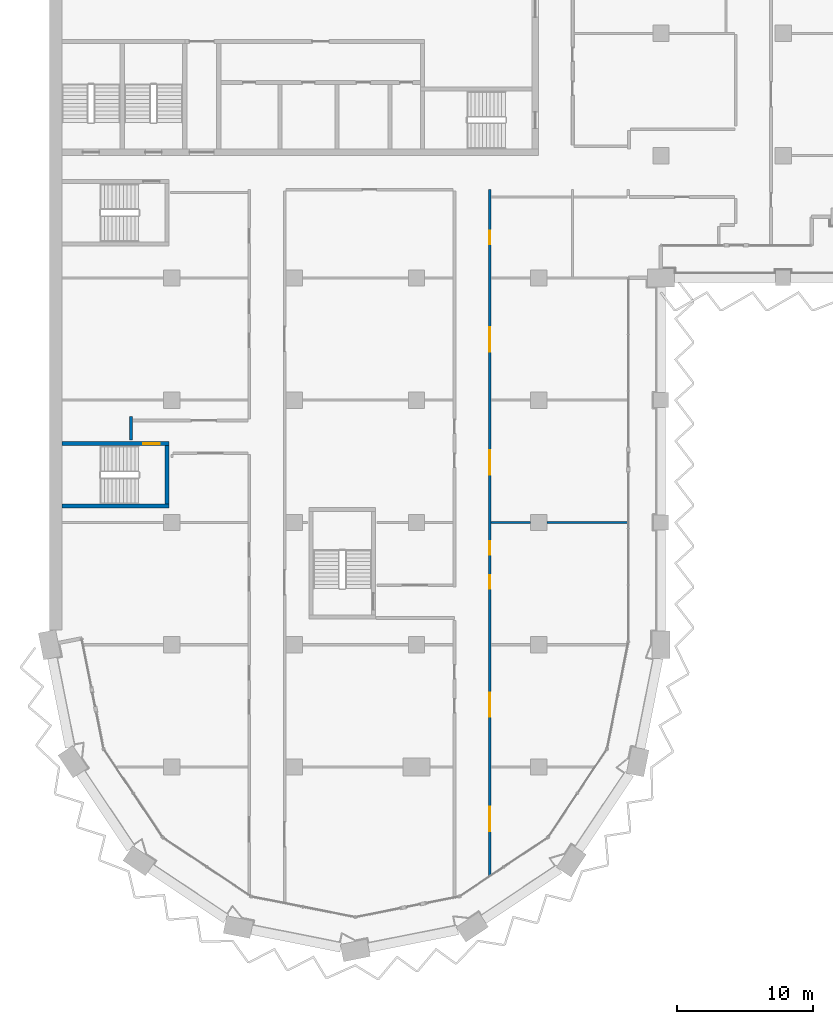
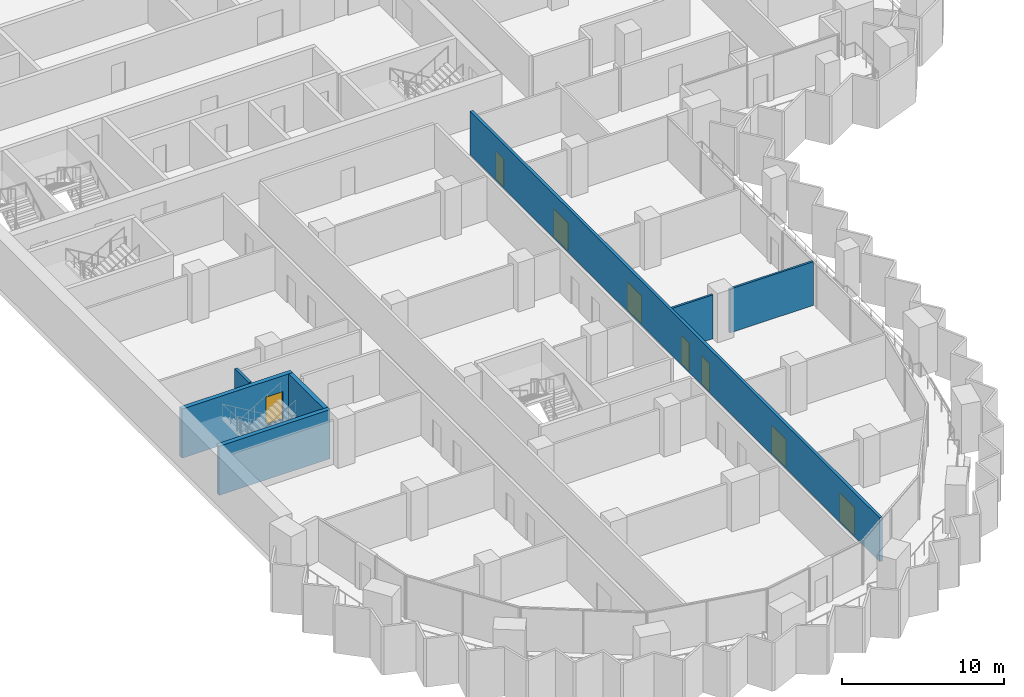
# One storey, part 9 of 22: 8 doors, 7 walls, 8 openings.
"""IFC4 building model written with IfcOpenShell, lengths in metres."""

from ifc_helpers import new_model, si_unit, direction, frame, frame_2d, origin, place, context, subcontext, project, spatial, rectangle, extrude, material, layer, layer_set, type_object, element, fill, save


model = new_model("IFC4")

# Units and contexts
model_context = context("Model", 3, precision=1e-05, world=origin(), true_north=direction((0.0, 1.0)))
body_context = subcontext(model_context, "Body", "Model", "MODEL_VIEW")
ifc_project = project(units=[si_unit("LENGTHUNIT", "METRE"), si_unit("AREAUNIT", "SQUARE_METRE"), si_unit("VOLUMEUNIT", "CUBIC_METRE"), si_unit("PLANEANGLEUNIT", "RADIAN"), si_unit("MASSUNIT", "GRAM", prefix="KILO")], contexts=[model_context])

# Site, building, storey
site_placement = place(None, origin())
site = spatial("IfcSite", under=ifc_project, at=site_placement, CompositionType="ELEMENT")
building_placement = place(site_placement, origin())
building = spatial("IfcBuilding", under=site, at=building_placement, Name="Hunhe Ridgeline Campus", CompositionType="ELEMENT")
storey_placement = place(building_placement, frame((0.0, 0.0, 163.39990234375)))
storey = spatial("IfcBuildingStorey", under=building, at=storey_placement, Name="L41", CompositionType="ELEMENT", Elevation=163.39990234375)

# Wall
ifc_material_1 = material(Name="Gypsum board partition")
ifc_layer_1 = layer(ifc_material_1, 0.199951171875)
ifc_layer_set_1 = layer_set([ifc_layer_1], Name="Corridor partition 200 gypsum board on steel studs")
wall_type_1 = type_object("IfcWallType", Name="Corridor partition 200 gypsum board on steel studs", PredefinedType="PARTITIONING", material=ifc_layer_set_1)
wall_1_placement = place(storey_placement, frame((6.0, 42.053955078125, 0.0), z_axis=(0.0, 0.0, 1.0), x_axis=(0.0, 1.0, 0.0)))
element("IfcWall", 1, at=wall_1_placement, inside=storey, type_object=wall_type_1, Name="F-L41-wall-055", PredefinedType="PARTITIONING", context=body_context, shape_type="SweptSolid", body=[
    extrude(rectangle(XDim=1.74609375, YDim=0.199951171875, at=frame_2d((0.873046875, 0.0))), origin(), (0.0, 0.0, 1.0), 3.300048828125),
])

# Wall, openings, doors
wall_2_placement = place(storey_placement, frame((32.39990234375, 60.5, 0.0), z_axis=(0.0, 0.0, 1.0), x_axis=(0.0, -1.0, 0.0)))
wall_2 = element("IfcWall", 2, at=wall_2_placement, inside=storey, type_object=wall_type_1, Name="F-L41-wall-062", PredefinedType="PARTITIONING", context=body_context, shape_type="SweptSolid", body=[
    extrude(rectangle(XDim=50.472900390625, YDim=0.199951171875, at=frame_2d((25.236328125, 0.0))), origin(), (0.0, 0.0, 1.0), 3.300048828125),
])
opening_1_placement = place(wall_2_placement, frame((45.4296875, 0.0, 0.0)))
opening_1 = element("IfcOpeningElement", 3, at=opening_1_placement, cuts=wall_2, Name="Opening RD2-003", PredefinedType="OPENING", context=body_context, shape_type="SweptSolid", body=[
    extrude(rectangle(XDim=1.800048828125, YDim=2.10009765625, at=frame_2d((0.89990234375, 1.050048828125))), frame((0.0, 0.10009765625, 0.0), z_axis=(0.0, -1.0, 0.0), x_axis=(1.0, 0.0, 0.0)), (0.0, 0.0, 1.0), 0.199951171875),
])
opening_2_placement = place(wall_2_placement, frame((37.017578125, 0.0, 0.0)))
opening_2 = element("IfcOpeningElement", 4, at=opening_2_placement, cuts=wall_2, Name="Opening RD2-006", PredefinedType="OPENING", context=body_context, shape_type="SweptSolid", body=[
    extrude(rectangle(XDim=1.800048828125, YDim=2.10009765625, at=frame_2d((0.89990234375, 1.050048828125))), frame((0.0, 0.10009765625, 0.0), z_axis=(0.0, -1.0, 0.0), x_axis=(1.0, 0.0, 0.0)), (0.0, 0.0, 1.0), 0.199951171875),
])
opening_3_placement = place(wall_2_placement, frame((28.377685546875, 0.0, 0.0)))
opening_3 = element("IfcOpeningElement", 5, at=opening_3_placement, cuts=wall_2, Name="Opening RD1-012", PredefinedType="OPENING", context=body_context, shape_type="SweptSolid", body=[
    extrude(rectangle(XDim=1.0, YDim=2.10009765625, at=frame_2d((0.5, 1.050048828125))), frame((0.0, 0.10009765625, 0.0), z_axis=(0.0, -1.0, 0.0), x_axis=(1.0, 0.0, 0.0)), (0.0, 0.0, 1.0), 0.199951171875),
])
opening_4_placement = place(wall_2_placement, frame((25.877685546875, 0.0, 0.0)))
opening_4 = element("IfcOpeningElement", 6, at=opening_4_placement, cuts=wall_2, Name="Opening RD1-014", PredefinedType="OPENING", context=body_context, shape_type="SweptSolid", body=[
    extrude(rectangle(XDim=1.0, YDim=2.10009765625, at=frame_2d((0.5, 1.050048828125))), frame((0.0, 0.10009765625, 0.0), z_axis=(0.0, -1.0, 0.0), x_axis=(1.0, 0.0, 0.0)), (0.0, 0.0, 1.0), 0.199951171875),
])
opening_5_placement = place(wall_2_placement, frame((19.188720703125, 0.0, 0.0)))
opening_5 = element("IfcOpeningElement", 7, at=opening_5_placement, cuts=wall_2, Name="Opening RD2-015", PredefinedType="OPENING", context=body_context, shape_type="SweptSolid", body=[
    extrude(rectangle(XDim=1.800048828125, YDim=2.10009765625, at=frame_2d((0.89990234375, 1.050048828125))), frame((0.0, 0.10009765625, 0.0), z_axis=(0.0, -1.0, 0.0), x_axis=(1.0, 0.0, 0.0)), (0.0, 0.0, 1.0), 0.199951171875),
])
opening_6_placement = place(wall_2_placement, frame((10.148681640625, 0.0, 0.0)))
opening_6 = element("IfcOpeningElement", 8, at=opening_6_placement, cuts=wall_2, Name="Opening RD2-022", PredefinedType="OPENING", context=body_context, shape_type="SweptSolid", body=[
    extrude(rectangle(XDim=1.800048828125, YDim=2.10009765625, at=frame_2d((0.89990234375, 1.050048828125))), frame((0.0, 0.10009765625, 0.0), z_axis=(0.0, -1.0, 0.0), x_axis=(1.0, 0.0, 0.0)), (0.0, 0.0, 1.0), 0.199951171875),
])
opening_7_placement = place(wall_2_placement, frame((3.015380859375, 0.0, 0.0)))
opening_7 = element("IfcOpeningElement", 9, at=opening_7_placement, cuts=wall_2, Name="Opening RD1-024", PredefinedType="OPENING", context=body_context, shape_type="SweptSolid", body=[
    extrude(rectangle(XDim=1.0, YDim=2.10009765625, at=frame_2d((0.5, 1.050048828125))), frame((0.0, 0.10009765625, 0.0), z_axis=(0.0, -1.0, 0.0), x_axis=(1.0, 0.0, 0.0)), (0.0, 0.0, 1.0), 0.199951171875),
])
ifc_material_2 = material(Name="Timber door leaf", Category="wood")
door_type_1 = type_object("IfcDoorType", Name="Double fire door 1800x2100 timber FD60", OperationType="DOUBLE_DOOR_SINGLE_SWING", PredefinedType="DOOR", material=ifc_material_2)
door_1_placement = place(opening_1_placement, origin())
door_1 = element("IfcDoor", 10, at=door_1_placement, inside=storey, type_object=door_type_1, Name="F-L41-door-003", OperationType="DOUBLE_DOOR_SINGLE_SWING", OverallHeight=2.10009765625, OverallWidth=1.800048828125, PredefinedType="DOOR", context=body_context, shape_type="SweptSolid", body=[
    extrude(rectangle(XDim=1.800048828125, YDim=2.10009765625, at=frame_2d((0.89990234375, 1.050048828125))), frame((0.0, 0.02490234375, 0.0), z_axis=(0.0, -1.0, 0.0), x_axis=(1.0, 0.0, 0.0)), (0.0, 0.0, 1.0), 0.050048828125),
])
fill(opening_1, door_1)
door_2_placement = place(opening_2_placement, origin())
door_2 = element("IfcDoor", 11, at=door_2_placement, inside=storey, type_object=door_type_1, Name="F-L41-door-006", OperationType="DOUBLE_DOOR_SINGLE_SWING", OverallHeight=2.10009765625, OverallWidth=1.800048828125, PredefinedType="DOOR", context=body_context, shape_type="SweptSolid", body=[
    extrude(rectangle(XDim=1.800048828125, YDim=2.10009765625, at=frame_2d((0.89990234375, 1.050048828125))), frame((0.0, 0.02490234375, 0.0), z_axis=(0.0, -1.0, 0.0), x_axis=(1.0, 0.0, 0.0)), (0.0, 0.0, 1.0), 0.050048828125),
])
fill(opening_2, door_2)
door_3_placement = place(opening_5_placement, origin())
door_3 = element("IfcDoor", 12, at=door_3_placement, inside=storey, type_object=door_type_1, Name="F-L41-door-015", OperationType="DOUBLE_DOOR_SINGLE_SWING", OverallHeight=2.10009765625, OverallWidth=1.800048828125, PredefinedType="DOOR", context=body_context, shape_type="SweptSolid", body=[
    extrude(rectangle(XDim=1.800048828125, YDim=2.10009765625, at=frame_2d((0.89990234375, 1.050048828125))), frame((0.0, 0.02490234375, 0.0), z_axis=(0.0, -1.0, 0.0), x_axis=(1.0, 0.0, 0.0)), (0.0, 0.0, 1.0), 0.050048828125),
])
fill(opening_5, door_3)
door_4_placement = place(opening_6_placement, origin())
door_4 = element("IfcDoor", 13, at=door_4_placement, inside=storey, type_object=door_type_1, Name="F-L41-door-022", OperationType="DOUBLE_DOOR_SINGLE_SWING", OverallHeight=2.10009765625, OverallWidth=1.800048828125, PredefinedType="DOOR", context=body_context, shape_type="SweptSolid", body=[
    extrude(rectangle(XDim=1.800048828125, YDim=2.10009765625, at=frame_2d((0.89990234375, 1.050048828125))), frame((0.0, 0.02490234375, 0.0), z_axis=(0.0, -1.0, 0.0), x_axis=(1.0, 0.0, 0.0)), (0.0, 0.0, 1.0), 0.050048828125),
])
fill(opening_6, door_4)
door_type_2 = type_object("IfcDoorType", Name="Single fire door 1000x2100 timber FD60", OperationType="NOTDEFINED", PredefinedType="DOOR", material=ifc_material_2)
door_5_placement = place(opening_3_placement, frame((1.0, 0.0, 0.0), z_axis=(0.0, 0.0, 1.0), x_axis=(-1.0, 0.0, 0.0)))
door_5 = element("IfcDoor", 14, at=door_5_placement, inside=storey, type_object=door_type_2, Name="F-L41-door-012", OperationType="SINGLE_SWING_RIGHT", OverallHeight=2.10009765625, OverallWidth=1.0, PredefinedType="DOOR", context=body_context, shape_type="SweptSolid", body=[
    extrude(rectangle(XDim=1.0, YDim=2.10009765625, at=frame_2d((0.5, 1.050048828125))), frame((0.0, 0.02490234375, 0.0), z_axis=(0.0, -1.0, 0.0), x_axis=(1.0, 0.0, 0.0)), (0.0, 0.0, 1.0), 0.050048828125),
])
fill(opening_3, door_5)
door_6_placement = place(opening_4_placement, frame((1.0, 0.0, 0.0), z_axis=(0.0, 0.0, 1.0), x_axis=(-1.0, 0.0, 0.0)))
door_6 = element("IfcDoor", 15, at=door_6_placement, inside=storey, type_object=door_type_2, Name="F-L41-door-014", OperationType="SINGLE_SWING_RIGHT", OverallHeight=2.10009765625, OverallWidth=1.0, PredefinedType="DOOR", context=body_context, shape_type="SweptSolid", body=[
    extrude(rectangle(XDim=1.0, YDim=2.10009765625, at=frame_2d((0.5, 1.050048828125))), frame((0.0, 0.02490234375, 0.0), z_axis=(0.0, -1.0, 0.0), x_axis=(1.0, 0.0, 0.0)), (0.0, 0.0, 1.0), 0.050048828125),
])
fill(opening_4, door_6)
door_7_placement = place(opening_7_placement, origin())
door_7 = element("IfcDoor", 16, at=door_7_placement, inside=storey, type_object=door_type_2, Name="F-L41-door-024", OperationType="SINGLE_SWING_LEFT", OverallHeight=2.10009765625, OverallWidth=1.0, PredefinedType="DOOR", context=body_context, shape_type="SweptSolid", body=[
    extrude(rectangle(XDim=1.0, YDim=2.10009765625, at=frame_2d((0.5, 1.050048828125))), frame((0.0, 0.02490234375, 0.0), z_axis=(0.0, -1.0, 0.0), x_axis=(1.0, 0.0, 0.0)), (0.0, 0.0, 1.0), 0.050048828125),
])
fill(opening_7, door_7)

# Walls
ifc_layer_2 = layer(ifc_material_1, 0.14990234375)
ifc_layer_set_2 = layer_set([ifc_layer_2], Name="Room partition 150 gypsum board on steel studs")
wall_type_2 = type_object("IfcWallType", Name="Room partition 150 gypsum board on steel studs", PredefinedType="PARTITIONING", material=ifc_layer_set_2)
wall_3_placement = place(storey_placement, frame((32.5, 36.0, 0.0), z_axis=(0.0, 0.0, 1.0), x_axis=(1.0, 0.0, 0.0)))
element("IfcWall", 17, at=wall_3_placement, inside=storey, type_object=wall_type_2, Name="F-L41-wall-020", PredefinedType="PARTITIONING", context=body_context, shape_type="SweptSolid", body=[
    extrude(rectangle(XDim=2.89990234375, YDim=0.14990234375, at=frame_2d((1.449951171875, 0.0))), origin(), (0.0, 0.0, 1.0), 3.300048828125),
])
wall_4_placement = place(storey_placement, frame((36.60009765625, 36.0, 0.0), z_axis=(0.0, 0.0, 1.0), x_axis=(1.0, 0.0, 0.0)))
element("IfcWall", 18, at=wall_4_placement, inside=storey, type_object=wall_type_2, Name="F-L41-wall-021", PredefinedType="PARTITIONING", context=body_context, shape_type="SweptSolid", body=[
    extrude(rectangle(XDim=5.94482421875, YDim=0.14990234375, at=frame_2d((2.972412109375, 0.0))), origin(), (0.0, 0.0, 1.0), 3.300048828125),
])
ifc_material_3 = material(Name="Concrete C70", Category="concrete")
ifc_layer_3 = layer(ifc_material_3, 0.300048828125)
ifc_layer_set_3 = layer_set([ifc_layer_3], Name="Stair wall 300 reinforced concrete C70")
wall_type_3 = type_object("IfcWallType", Name="Stair wall 300 reinforced concrete C70", PredefinedType="SOLIDWALL", material=ifc_layer_set_3)
wall_5_placement = place(storey_placement, frame((0.89990234375, 37.199951171875, -0.39990234375), z_axis=(0.0, 0.0, 1.0), x_axis=(1.0, 0.0, 0.0)))
element("IfcWall", 19, at=wall_5_placement, inside=storey, type_object=wall_type_3, Name="L41 core wall 3", PredefinedType="SOLIDWALL", context=body_context, shape_type="SweptSolid", body=[
    extrude(rectangle(XDim=7.900146484375, YDim=0.300048828125, at=frame_2d((3.9501953125, 0.0))), origin(), (0.0, 0.0, 1.0), 3.699951171875),
])

# Wall, opening, door
wall_6_placement = place(storey_placement, frame((0.89990234375, 41.800048828125, -0.39990234375), z_axis=(0.0, 0.0, 1.0), x_axis=(1.0, 0.0, 0.0)))
wall_6 = element("IfcWall", 20, at=wall_6_placement, inside=storey, type_object=wall_type_3, Name="L41 core wall 4", PredefinedType="SOLIDWALL", context=body_context, shape_type="SweptSolid", body=[
    extrude(rectangle(XDim=7.900146484375, YDim=0.300048828125, at=frame_2d((3.9501953125, 0.0))), origin(), (0.0, 0.0, 1.0), 3.699951171875),
])
opening_8_placement = place(wall_6_placement, frame((6.0, 0.0, 0.39990234375)))
opening_8 = element("IfcOpeningElement", 21, at=opening_8_placement, cuts=wall_6, Name="Opening CD21", PredefinedType="OPENING", context=body_context, shape_type="SweptSolid", body=[
    extrude(rectangle(XDim=1.199951171875, YDim=2.10009765625, at=frame_2d((0.60009765625, 1.050048828125))), frame((0.0, 0.14990234375, 0.0), z_axis=(0.0, -1.0, 0.0), x_axis=(1.0, 0.0, 0.0)), (0.0, 0.0, 1.0), 0.300048828125),
])
ifc_material_4 = material(Name="Hollow metal fire door leaf")
door_type_3 = type_object("IfcDoorType", Name="Stair door 1200x2100 FD60", OperationType="SINGLE_SWING_LEFT", PredefinedType="DOOR", material=ifc_material_4)
door_8_placement = place(opening_8_placement, origin())
door_8 = element("IfcDoor", 22, at=door_8_placement, inside=storey, type_object=door_type_3, Name="L41 door W1", OperationType="SINGLE_SWING_LEFT", OverallHeight=2.10009765625, OverallWidth=1.199951171875, PredefinedType="DOOR", context=body_context, shape_type="SweptSolid", body=[
    extrude(rectangle(XDim=1.199951171875, YDim=2.10009765625, at=frame_2d((0.60009765625, 1.050048828125))), frame((0.0, 0.02490234375, 0.0), z_axis=(0.0, -1.0, 0.0), x_axis=(1.0, 0.0, 0.0)), (0.0, 0.0, 1.0), 0.050048828125),
])
fill(opening_8, door_8)

# Wall
wall_7_placement = place(storey_placement, frame((8.64990234375, 37.35009765625, -0.39990234375), z_axis=(0.0, 0.0, 1.0), x_axis=(0.0, 1.0, 0.0)))
element("IfcWall", 23, at=wall_7_placement, inside=storey, type_object=wall_type_3, Name="L41 core wall 36", PredefinedType="SOLIDWALL", context=body_context, shape_type="SweptSolid", body=[
    extrude(rectangle(XDim=4.2998046875, YDim=0.300048828125, at=frame_2d((2.14990234375, 0.0))), origin(), (0.0, 0.0, 1.0), 3.699951171875),
])

save(model, "model.ifc")
